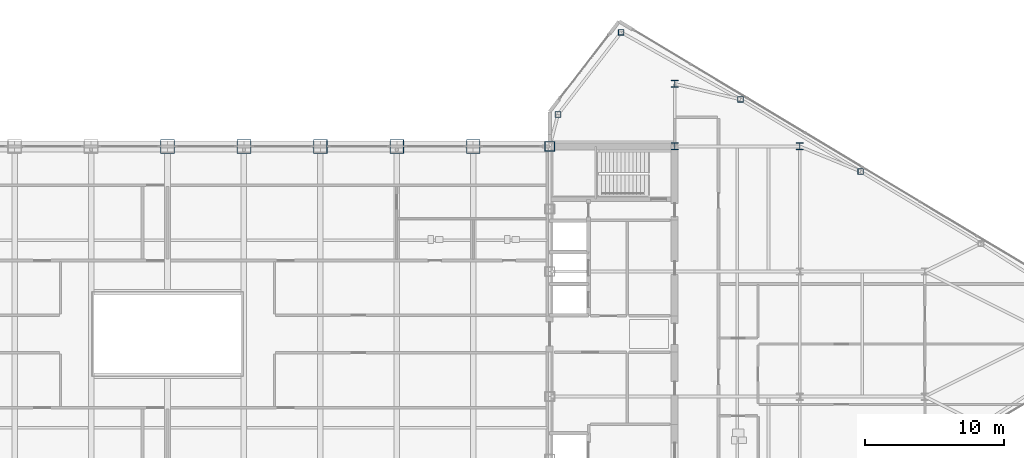
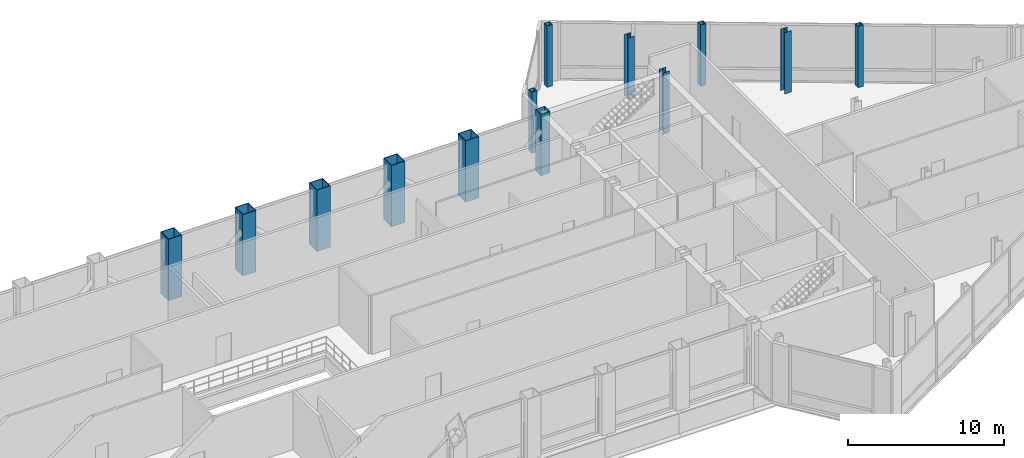
# One storey, part 6 of 30: 13 columns.
"""IFC4 building model written with IfcOpenShell, lengths in metres."""

from ifc_helpers import new_model, si_unit, direction, frame, origin, origin_2d, place, context, subcontext, project, spatial, hollow_rectangle, i_section, extrude, source, transform, mapped, material, material_profile, profile_set, type_object, type_shapes, element, save


model = new_model("IFC4")

# Units and contexts
model_context = context("Model", 3, precision=1e-05, world=origin(), true_north=direction((0.0, 1.0)))
body_context = subcontext(model_context, "Body", "Model", "MODEL_VIEW")
ifc_project = project(units=[si_unit("LENGTHUNIT", "METRE"), si_unit("AREAUNIT", "SQUARE_METRE"), si_unit("VOLUMEUNIT", "CUBIC_METRE"), si_unit("PLANEANGLEUNIT", "RADIAN"), si_unit("MASSUNIT", "GRAM", prefix="KILO")], contexts=[model_context])

# Site, building, storey
site_placement = place(None, origin())
site = spatial("IfcSite", under=ifc_project, at=site_placement, CompositionType="ELEMENT")
building_placement = place(site_placement, origin())
building = spatial("IfcBuilding", under=site, at=building_placement, Name="Seokmaru Belvedere", CompositionType="ELEMENT")
storey_placement = place(building_placement, frame((0.0, 0.0, 234.60009765625)))
storey = spatial("IfcBuildingStorey", under=building, at=storey_placement, Name="L62", CompositionType="ELEMENT", Elevation=234.60009765625)

# Columns
ifc_material_1 = material(Name="Steel HSA650 (650 MPa)", Category="steel")
ifc_material_profile_1 = material_profile(ifc_material_1, hollow_rectangle(XDim=1.0, YDim=1.0, WallThickness=0.0419921875, at=origin_2d()), Name="BOX-1000x1000x42")
ifc_profile_set_1 = profile_set([ifc_material_profile_1], Name="Steel HSA650 (650 MPa)")
column_type_1 = type_object("IfcColumnType", Name="Portal Spine Column BOX-1000", PredefinedType="COLUMN", material=ifc_profile_set_1)
shared_shape_1 = source(origin(), body_context, "Body", "SweptSolid", [
    extrude(hollow_rectangle(XDim=1.0, YDim=1.0, WallThickness=0.0419921875, at=origin_2d()), origin(), (0.0, 0.0, 1.0), 4.7998046875),
])
type_shapes(column_type_1, [shared_shape_1])
for number, where, z_axis, x_axis, name in (
    (1, (0.0, 13.5, 0.0), (0.0, 0.0, 1.0), (1.0, 0.0, 0.0), "L62 Column BRN_5"),
    (2, (5.5, 13.5, 0.0), (0.0, 0.0, 1.0), (1.0, 0.0, 0.0), "L62 Column BRN_6"),
    (3, (11.0, 13.5, 0.0), (0.0, 0.0, 1.0), (1.0, 0.0, 0.0), "L62 Column BRN_7"),
    (4, (16.5, 13.5, 0.0), (0.0, 0.0, 1.0), (1.0, 0.0, 0.0), "L62 Column BRN_8"),
    (5, (22.0, 13.5, 0.0), (0.0, 0.0, 1.0), (1.0, 0.0, 0.0), "L62 Column BRN_9"),
):
    element("IfcColumn", number, at=place(storey_placement, frame(where, z_axis=z_axis, x_axis=x_axis)), inside=storey, type_object=column_type_1, Name=name, PredefinedType="COLUMN", context=body_context, shape_type="MappedRepresentation", body=[
        mapped(shared_shape_1, transform((0.0, 0.0, 0.0), scale=1.0)),
    ])
ifc_material_2 = material(Name="Steel SM355 (355 MPa)", Category="steel")
ifc_material_profile_2 = material_profile(ifc_material_2, hollow_rectangle(XDim=0.699951171875, YDim=0.699951171875, WallThickness=0.030029296875, at=origin_2d()), Name="BOX-700x700x30")
ifc_profile_set_2 = profile_set([ifc_material_profile_2], Name="Steel SM355 (355 MPa)")
column_type_2 = type_object("IfcColumnType", Name="Upper Spine Column BOX-700", PredefinedType="COLUMN", material=ifc_profile_set_2)
shared_shape_2 = source(origin(), body_context, "Body", "SweptSolid", [
    extrude(hollow_rectangle(XDim=0.699951171875, YDim=0.699951171875, WallThickness=0.030029296875, at=origin_2d()), origin(), (0.0, 0.0, 1.0), 4.7998046875),
])
type_shapes(column_type_2, [shared_shape_2])
column_placement = place(storey_placement, frame((27.5, 13.5, 0.0), z_axis=(0.0, 0.0, 1.0), x_axis=(1.0, 0.0, 0.0)))
element("IfcColumn", 6, at=column_placement, inside=storey, type_object=column_type_2, Name="L62 Column ES6", PredefinedType="COLUMN", context=body_context, shape_type="MappedRepresentation", body=[
    mapped(shared_shape_2, transform((0.0, 0.0, 0.0), scale=1.0)),
])
ifc_material_profile_3 = material_profile(ifc_material_2, i_section(OverallWidth=0.5, OverallDepth=0.5, WebThickness=0.02001953125, FlangeThickness=0.031982421875, at=origin_2d()), Name="H-500x500x20x32")
ifc_profile_set_3 = profile_set([ifc_material_profile_3], Name="Steel SM355 (355 MPa)")
column_type_3 = type_object("IfcColumnType", Name="High-Rise Interior Column H-500", PredefinedType="COLUMN", material=ifc_profile_set_3)
shared_shape_3 = source(origin(), body_context, "Body", "SweptSolid", [
    extrude(i_section(OverallWidth=0.5, OverallDepth=0.5, WebThickness=0.02001953125, FlangeThickness=0.031982421875, at=origin_2d()), origin(), (0.0, 0.0, 1.0), 4.7998046875),
])
type_shapes(column_type_3, [shared_shape_3])
for number, where, z_axis, x_axis, name in (
    (7, (36.5, 13.5, 0.0), (0.0, 0.0, 1.0), (1.0, 0.0, 0.0), "L62 Column EC3"),
    (8, (36.5, 18.0, 0.0), (0.0, 0.0, 1.0), (1.0, 0.0, 0.0), "L62 Column EC4"),
    (9, (45.5, 13.5, 0.0), (0.0, 0.0, 1.0), (1.0, 0.0, 0.0), "L62 Column EG5_4"),
):
    element("IfcColumn", number, at=place(storey_placement, frame(where, z_axis=z_axis, x_axis=x_axis)), inside=storey, type_object=column_type_3, Name=name, PredefinedType="COLUMN", context=body_context, shape_type="MappedRepresentation", body=[
        mapped(shared_shape_3, transform((0.0, 0.0, 0.0), scale=1.0)),
    ])
ifc_material_profile_4 = material_profile(ifc_material_2, hollow_rectangle(XDim=0.39990234375, YDim=0.39990234375, WallThickness=0.01611328125, at=origin_2d()), Name="HSS-400x400x16")
ifc_profile_set_4 = profile_set([ifc_material_profile_4], Name="Steel SM355 (355 MPa)")
column_type_4 = type_object("IfcColumnType", Name="Perimeter Facet Column HSS-400", PredefinedType="COLUMN", material=ifc_profile_set_4)
shared_shape_4 = source(origin(), body_context, "Body", "SweptSolid", [
    extrude(hollow_rectangle(XDim=0.39990234375, YDim=0.39990234375, WallThickness=0.01611328125, at=origin_2d()), origin(), (0.0, 0.0, 1.0), 4.7998046875),
])
type_shapes(column_type_4, [shared_shape_4])
for number, where, z_axis, x_axis, name in (
    (10, (32.649658203125, 21.71044921875, 0.0), (0.0, 0.0, 1.0), (1.0, 0.0, 0.0), "L62 Column EF4"),
    (11, (28.10009765625, 15.7958984375, 0.0), (0.0, 0.0, 1.0), (1.0, 0.0, 0.0), "L62 Column EF5"),
    (12, (41.229736328125, 16.888916015625, 0.0), (0.0, 0.0, 1.0), (1.0, 0.0, 0.0), "L62 Column EFLK_N1"),
    (13, (49.8798828125, 11.698974609375, 0.0), (0.0, 0.0, 1.0), (1.0, 0.0, 0.0), "L62 Column EFLK_N2"),
):
    element("IfcColumn", number, at=place(storey_placement, frame(where, z_axis=z_axis, x_axis=x_axis)), inside=storey, type_object=column_type_4, Name=name, PredefinedType="COLUMN", context=body_context, shape_type="MappedRepresentation", body=[
        mapped(shared_shape_4, transform((0.0, 0.0, 0.0), scale=1.0)),
    ])

save(model, "model.ifc")
